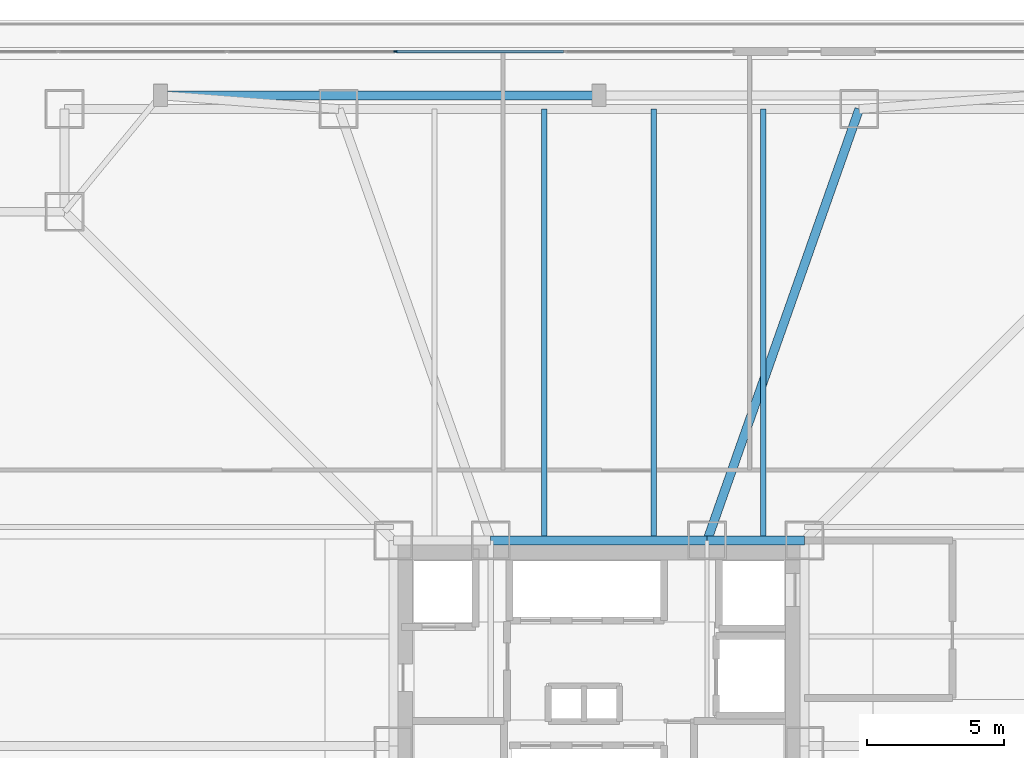
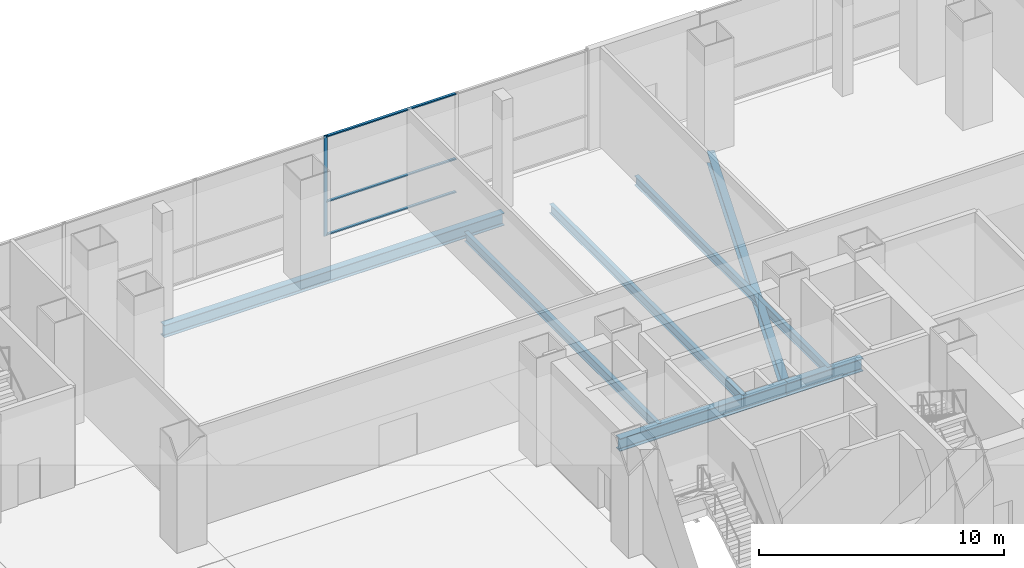
# One storey, part 14 of 36: 7 beams, 4 members, 1 element without a shape of its own.
"""IFC4 building model written with IfcOpenShell, lengths in metres."""

from ifc_helpers import new_model, si_unit, direction, frame, origin, origin_2d, place, context, subcontext, project, spatial, rectangle, i_section, extrude, material, layer, layer_set, material_profile, profile_set, type_object, element, aggregate, save


model = new_model("IFC4")

# Units and contexts
model_context = context("Model", 3, precision=1e-05, world=origin(), true_north=direction((0.0, 1.0)))
body_context = subcontext(model_context, "Body", "Model", "MODEL_VIEW")
ifc_project = project(units=[si_unit("LENGTHUNIT", "METRE"), si_unit("AREAUNIT", "SQUARE_METRE"), si_unit("VOLUMEUNIT", "CUBIC_METRE"), si_unit("PLANEANGLEUNIT", "RADIAN"), si_unit("MASSUNIT", "GRAM", prefix="KILO")], contexts=[model_context])

# Site, building, storey
site_placement = place(None, origin())
site = spatial("IfcSite", under=ifc_project, at=site_placement, CompositionType="ELEMENT")
building_placement = place(site_placement, origin())
building = spatial("IfcBuilding", under=site, at=building_placement, Name="Trevonay Congress Spire", CompositionType="ELEMENT")
storey_placement = place(building_placement, frame((0.0, 0.0, 16.199951171875)))
storey = spatial("IfcBuildingStorey", under=building, at=storey_placement, Name="L03", CompositionType="ELEMENT", Elevation=16.199951171875)

# Beams
ifc_material_1 = material(Name="Steel ASTM A572 Grade 50", Category="steel")
ifc_material_profile_1 = material_profile(ifc_material_1, i_section(OverallWidth=0.324951171875, OverallDepth=0.615966796875, WebThickness=0.013916015625, FlangeThickness=0.021484375, FilletRadius=0.01806640625, at=origin_2d()), Name="W610x174")
ifc_profile_set_1 = profile_set([ifc_material_profile_1], Name="Steel ASTM A572 Grade 50")
beam_type_1 = type_object("IfcBeamType", Name="BM-GIRD-W610X174", PredefinedType="BEAM", material=ifc_profile_set_1)
beam_1_placement = place(storey_placement, frame((3.949951171875, 7.5, -0.7080078125), z_axis=(0.332352826786, 0.943155129619, 0.0), x_axis=(-0.943155129619, 0.332352826786, 0.0)))
element("IfcBeam", 1, at=beam_1_placement, inside=storey, type_object=beam_type_1, Name="L03 structural beam BM-L03-RAD-N2", PredefinedType="BEAM", context=body_context, shape_type="SweptSolid", body=[
    extrude(i_section(OverallWidth=0.324951171875, OverallDepth=0.615966796875, WebThickness=0.013916015625, FlangeThickness=0.021484375, FilletRadius=0.01806640625, at=origin_2d()), origin(), (0.0, 0.0, 1.0), 16.69921875),
])
beam_2_placement = place(storey_placement, frame((-16.0, 23.75, -0.7080078125), z_axis=(1.0, 0.0, 0.0), x_axis=(0.0, 1.0, 0.0)))
element("IfcBeam", 2, at=beam_2_placement, inside=storey, type_object=beam_type_1, Name="L03 structural beam BM-L03-PIL-N1", PredefinedType="BEAM", context=body_context, shape_type="SweptSolid", body=[
    extrude(i_section(OverallWidth=0.324951171875, OverallDepth=0.615966796875, WebThickness=0.013916015625, FlangeThickness=0.021484375, FilletRadius=0.01806640625, at=origin_2d()), origin(), (0.0, 0.0, 1.0), 16.0),
])
ifc_material_profile_2 = material_profile(ifc_material_1, i_section(OverallWidth=0.3291015625, OverallDepth=0.635009765625, WebThickness=0.017822265625, FlangeThickness=0.031005859375, FilletRadius=0.01806640625, at=origin_2d()), Name="W610x241")
ifc_profile_set_2 = profile_set([ifc_material_profile_2], Name="Steel ASTM A572 Grade 50")
beam_type_2 = type_object("IfcBeamType", Name="BM-GIRD-W610X241", PredefinedType="BEAM", material=ifc_profile_set_2)
beam_3_placement = place(storey_placement, frame((-3.949951171875, 7.5, -0.717529296875), z_axis=(1.0, 0.0, 0.0), x_axis=(0.0, 1.0, 0.0)))
element("IfcBeam", 3, at=beam_3_placement, inside=storey, type_object=beam_type_2, Name="L03 structural beam BM-L03-CR-N2", PredefinedType="BEAM", context=body_context, shape_type="SweptSolid", body=[
    extrude(i_section(OverallWidth=0.3291015625, OverallDepth=0.635009765625, WebThickness=0.017822265625, FlangeThickness=0.031005859375, FilletRadius=0.01806640625, at=origin_2d()), origin(), (0.0, 0.0, 1.0), 7.89990234375),
])
beam_4_placement = place(storey_placement, frame((3.949951171875, 7.5, -0.717529296875), z_axis=(1.0, 0.0, 0.0), x_axis=(0.0, 1.0, 0.0)))
element("IfcBeam", 4, at=beam_4_placement, inside=storey, type_object=beam_type_2, Name="L03 structural beam BM-L03-CR-N3", PredefinedType="BEAM", context=body_context, shape_type="SweptSolid", body=[
    extrude(i_section(OverallWidth=0.3291015625, OverallDepth=0.635009765625, WebThickness=0.017822265625, FlangeThickness=0.031005859375, FilletRadius=0.01806640625, at=origin_2d()), origin(), (0.0, 0.0, 1.0), 3.550048828125),
])

# Curtain wall, members
ifc_material_2 = material(Name="Pale Anodised Aluminium EN AW-6063-T6", Category="aluminium")
ifc_layer = layer(ifc_material_2, 0.179931640625, Name="Pale Anodised Aluminium EN AW-6063-T6")
ifc_layer_set = layer_set([ifc_layer], Name="Pale Anodised Aluminium EN AW-6063-T6")
curtain_wall_type = type_object("IfcCurtainWallType", Name="CW-SYS01-PODIUM-PALE-METAL", PredefinedType="NOTDEFINED", material=ifc_layer_set)
curtain_wall_placement = place(storey_placement, origin())
curtain_wall = element("IfcCurtainWall", 5, at=curtain_wall_placement, inside=storey, type_object=curtain_wall_type, Name="L03 N1 podium curtain wall", PredefinedType="NOTDEFINED")
ifc_material_profile_3 = material_profile(ifc_material_2, rectangle(XDim=0.06005859375, YDim=0.159912109375, at=origin_2d()), Name="CW-MULLION-160-ALUMINIUM")
ifc_profile_set_3 = profile_set([ifc_material_profile_3], Name="Pale Anodised Aluminium EN AW-6063-T6")
member_type_1 = type_object("IfcMemberType", Name="CW-MULLION-160-ALUMINIUM", PredefinedType="MULLION", material=ifc_profile_set_3)
member_1_placement = place(storey_placement, frame((-7.416748046875, 25.35009765625, 0.0), z_axis=(0.0, 0.0, 1.0), x_axis=(0.0, 1.0, 0.0)))
member_1 = element("IfcMember", 6, at=member_1_placement, type_object=member_type_1, Name="CW01 mullion 5", PredefinedType="MULLION", context=body_context, shape_type="SweptSolid", body=[
    extrude(rectangle(XDim=0.06005859375, YDim=0.159912109375, at=origin_2d()), origin(), (0.0, 0.0, 1.0), 5.0),
])
ifc_material_profile_4 = material_profile(ifc_material_2, rectangle(XDim=0.1201171875, YDim=0.06005859375, at=origin_2d()), Name="CW-TRANSOM-120-ALUMINIUM")
ifc_profile_set_4 = profile_set([ifc_material_profile_4], Name="Pale Anodised Aluminium EN AW-6063-T6")
member_type_2 = type_object("IfcMemberType", Name="CW-TRANSOM-120-ALUMINIUM", PredefinedType="USERDEFINED", material=ifc_profile_set_4)
member_2_placement = place(storey_placement, frame((-7.38671875, 25.35009765625, 0.06005859375), z_axis=(1.0, 0.0, 0.0), x_axis=(0.0, 1.0, 0.0)))
member_2 = element("IfcMember", 7, at=member_2_placement, type_object=member_type_2, Name="CW01 transom 5.1", ObjectType="TRANSOM", PredefinedType="USERDEFINED", context=body_context, shape_type="SweptSolid", body=[
    extrude(rectangle(XDim=0.1201171875, YDim=0.06005859375, at=origin_2d()), origin(), (0.0, 0.0, 1.0), 6.098388671875),
])
member_3_placement = place(storey_placement, frame((-7.38671875, 25.35009765625, 1.699951171875), z_axis=(1.0, 0.0, 0.0), x_axis=(0.0, 1.0, 0.0)))
member_3 = element("IfcMember", 8, at=member_3_placement, type_object=member_type_2, Name="CW01 transom 5.2", ObjectType="TRANSOM", PredefinedType="USERDEFINED", context=body_context, shape_type="SweptSolid", body=[
    extrude(rectangle(XDim=0.1201171875, YDim=0.06005859375, at=origin_2d()), origin(), (0.0, 0.0, 1.0), 6.098388671875),
])
member_4_placement = place(storey_placement, frame((-7.38671875, 25.35009765625, 4.93994140625), z_axis=(1.0, 0.0, 0.0), x_axis=(0.0, 1.0, 0.0)))
member_4 = element("IfcMember", 9, at=member_4_placement, type_object=member_type_2, Name="CW01 transom 5.3", ObjectType="TRANSOM", PredefinedType="USERDEFINED", context=body_context, shape_type="SweptSolid", body=[
    extrude(rectangle(XDim=0.1201171875, YDim=0.06005859375, at=origin_2d()), origin(), (0.0, 0.0, 1.0), 6.098388671875),
])
aggregate(curtain_wall, [member_1, member_2, member_3, member_4])

# Beams
ifc_material_profile_5 = material_profile(ifc_material_1, i_section(OverallWidth=0.18994140625, OverallDepth=0.45703125, WebThickness=0.009033203125, FlangeThickness=0.014404296875, FilletRadius=0.013916015625, at=origin_2d()), Name="W460x74")
ifc_profile_set_5 = profile_set([ifc_material_profile_5], Name="Steel ASTM A572 Grade 50")
beam_type_3 = type_object("IfcBeamType", Name="JS-COMP-W460X74", PredefinedType="JOIST", material=ifc_profile_set_5)
for number, where, z_axis, x_axis, name in (
    (10, (-2.0, 7.5, -0.62841796875), (0.0, 1.0, 0.0), (-1.0, 0.0, 0.0), "L03 structural beam JS-L03-NH2"),
    (11, (2.0, 7.5, -0.62841796875), (0.0, 1.0, 0.0), (-1.0, 0.0, 0.0), "L03 structural beam JS-L03-NH3"),
    (12, (6.0, 7.5, -0.62841796875), (0.0, 1.0, 0.0), (-1.0, 0.0, 0.0), "L03 structural beam JS-L03-NH4"),
):
    element("IfcBeam", number, at=place(storey_placement, frame(where, z_axis=z_axis, x_axis=x_axis)), inside=storey, type_object=beam_type_3, Name=name, PredefinedType="JOIST", context=body_context, shape_type="SweptSolid", body=[
        extrude(i_section(OverallWidth=0.18994140625, OverallDepth=0.45703125, WebThickness=0.009033203125, FlangeThickness=0.014404296875, FilletRadius=0.013916015625, at=origin_2d()), origin(), (0.0, 0.0, 1.0), 15.75),
    ])

save(model, "model.ifc")
